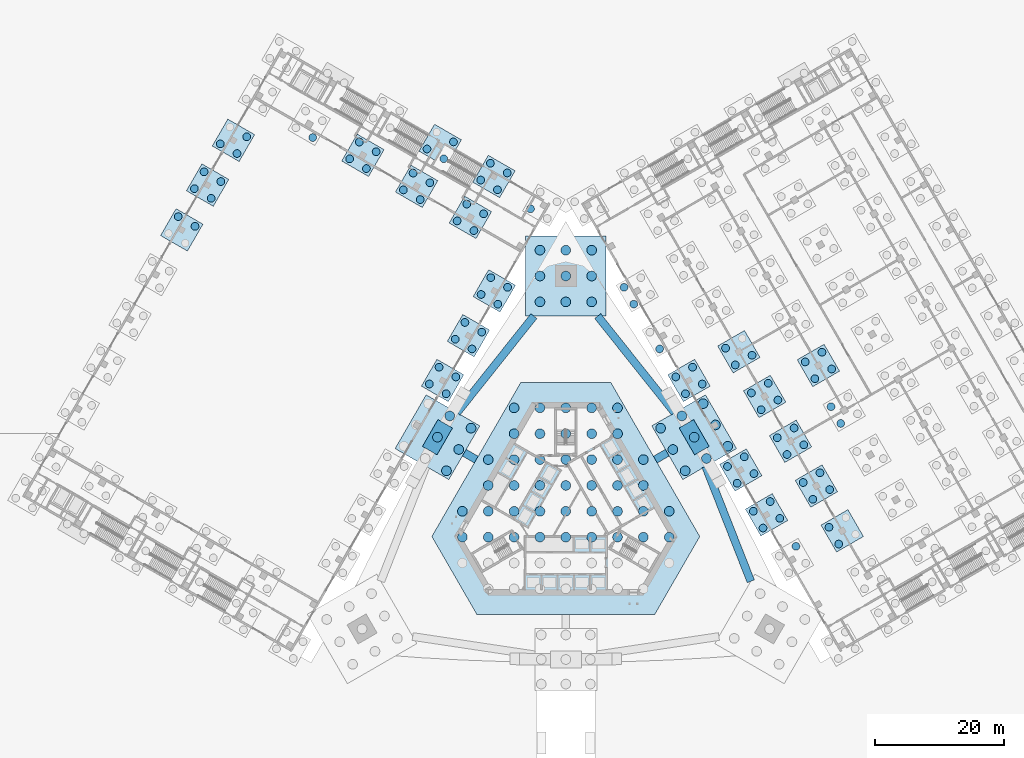
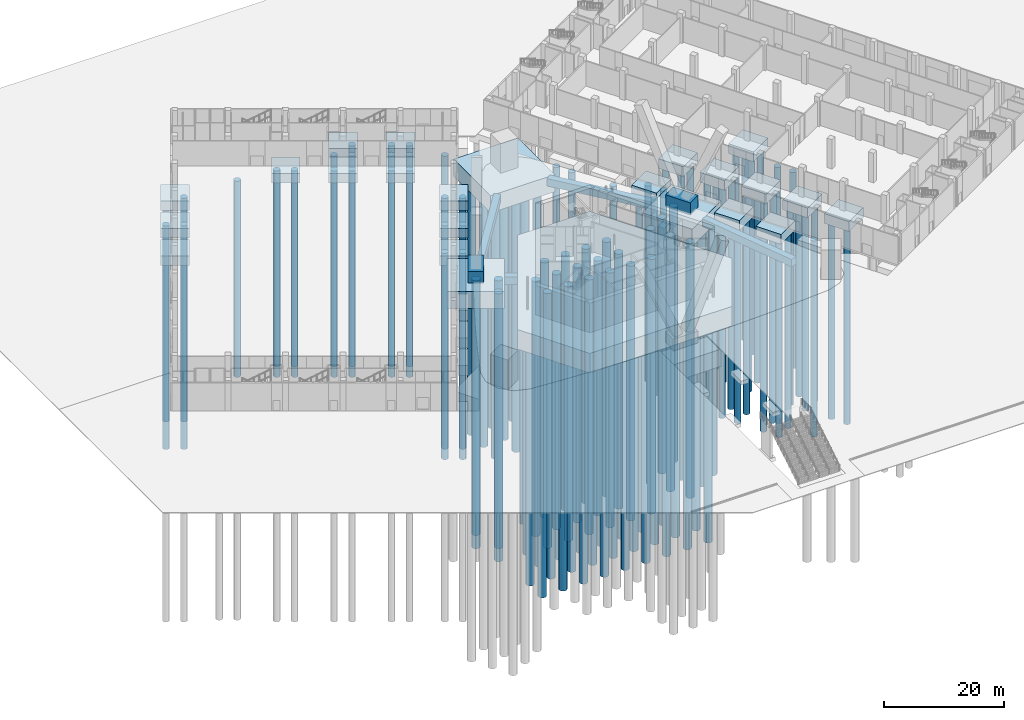
# One storey, part 2 of 38: 146 piles, 31 footings.
"""IFC4 building model written with IfcOpenShell, lengths in metres."""

from ifc_helpers import new_model, si_unit, direction, frame, origin, origin_2d, place, context, subcontext, project, spatial, polyline, rectangle, circle, outline, extrude, material, layer, layer_set, material_profile, profile_set, type_object, element, save


model = new_model("IFC4")

# Units and contexts
model_context = context("Model", 3, precision=1e-05, world=origin(), true_north=direction((0.0, 1.0)))
body_context = subcontext(model_context, "Body", "Model", "MODEL_VIEW")
ifc_project = project(units=[si_unit("LENGTHUNIT", "METRE"), si_unit("AREAUNIT", "SQUARE_METRE"), si_unit("VOLUMEUNIT", "CUBIC_METRE"), si_unit("PLANEANGLEUNIT", "RADIAN"), si_unit("MASSUNIT", "GRAM", prefix="KILO")], contexts=[model_context])

# Site, building, storey
site_placement = place(None, origin())
site = spatial("IfcSite", under=ifc_project, at=site_placement, CompositionType="ELEMENT")
building_placement = place(site_placement, origin())
building = spatial("IfcBuilding", under=site, at=building_placement, Name="Mestral Congress Tower", CompositionType="ELEMENT")
storey_placement = place(building_placement, origin())
storey = spatial("IfcBuildingStorey", under=building, at=storey_placement, Name="L00", CompositionType="ELEMENT", Elevation=0.0)

# Piles
ifc_material_1 = material(Name="Concrete C35/45", Category="concrete")
ifc_material_profile_1 = material_profile(ifc_material_1, circle(Radius=0.60009765625, at=origin_2d()), Name="D1200")
ifc_profile_set_1 = profile_set([ifc_material_profile_1], Name="Concrete C35/45")
pile_type_1 = type_object("IfcPileType", Name="Bored pile D1200", PredefinedType="BORED", material=ifc_profile_set_1)
for number, where, z_axis, x_axis, name in (
    (1, (35.609619140625, -5.421630859375, -2.14990234375), (0.0, 0.0, -1.0), (1.0, 0.0, 0.0), "PILE-WC-E-03A-04"),
    (2, (42.218994140625, -5.069580078125, -2.14990234375), (0.0, 0.0, -1.0), (1.0, 0.0, 0.0), "PILE-WC-E-03B-01"),
    (3, (40.718994140625, -2.4716796875, -2.14990234375), (0.0, 0.0, -1.0), (1.0, 0.0, 0.0), "PILE-WC-E-03B-03"),
    (4, (30.511474609375, -2.59130859375, -2.14990234375), (0.0, 0.0, -1.0), (1.0, 0.0, 0.0), "PILE-WC-E-04A-01"),
    (5, (33.109619140625, -1.09130859375, -2.14990234375), (0.0, 0.0, -1.0), (1.0, 0.0, 0.0), "PILE-WC-E-04A-02"),
    (6, (29.011474609375, 0.006591796875, -2.14990234375), (0.0, 0.0, -1.0), (1.0, 0.0, 0.0), "PILE-WC-E-04A-03"),
    (7, (31.609619140625, 1.506591796875, -2.14990234375), (0.0, 0.0, -1.0), (1.0, 0.0, 0.0), "PILE-WC-E-04A-04"),
    (8, (38.218994140625, 1.858642578125, -2.14990234375), (0.0, 0.0, -1.0), (1.0, 0.0, 0.0), "PILE-WC-E-04B-01"),
    (9, (40.817138671875, 3.358642578125, -2.14990234375), (0.0, 0.0, -1.0), (1.0, 0.0, 0.0), "PILE-WC-E-04B-02"),
    (10, (36.718994140625, 4.45654296875, -2.14990234375), (0.0, 0.0, -1.0), (1.0, 0.0, 0.0), "PILE-WC-E-04B-03"),
    (11, (39.317138671875, 5.95654296875, -2.14990234375), (0.0, 0.0, -1.0), (1.0, 0.0, 0.0), "PILE-WC-E-04B-04"),
    (12, (26.511474609375, 4.3369140625, -2.14990234375), (0.0, 0.0, -1.0), (1.0, 0.0, 0.0), "PILE-WC-E-05A-01"),
    (13, (29.109619140625, 5.8369140625, -2.14990234375), (0.0, 0.0, -1.0), (1.0, 0.0, 0.0), "PILE-WC-E-05A-02"),
    (14, (25.011474609375, 6.934814453125, -2.14990234375), (0.0, 0.0, -1.0), (1.0, 0.0, 0.0), "PILE-WC-E-05A-03"),
    (15, (27.609619140625, 8.434814453125, -2.14990234375), (0.0, 0.0, -1.0), (1.0, 0.0, 0.0), "PILE-WC-E-05A-04"),
    (16, (34.218994140625, 8.786865234375, -2.14990234375), (0.0, 0.0, -1.0), (1.0, 0.0, 0.0), "PILE-WC-E-05B-01"),
    (17, (36.817138671875, 10.286865234375, -2.14990234375), (0.0, 0.0, -1.0), (1.0, 0.0, 0.0), "PILE-WC-E-05B-02"),
    (18, (32.718994140625, 11.385009765625, -2.14990234375), (0.0, 0.0, -1.0), (1.0, 0.0, 0.0), "PILE-WC-E-05B-03"),
    (19, (35.317138671875, 12.885009765625, -2.14990234375), (0.0, 0.0, -1.0), (1.0, 0.0, 0.0), "PILE-WC-E-05B-04"),
    (20, (42.532958984375, 13.5869140625, -2.14990234375), (0.0, 0.0, -1.0), (1.0, 0.0, 0.0), "PILE-WC-E-05C-01"),
    (21, (41.032958984375, 16.184814453125, -2.14990234375), (0.0, 0.0, -1.0), (1.0, 0.0, 0.0), "PILE-WC-E-05C-03"),
    (22, (30.218994140625, 15.715087890625, -2.14990234375), (0.0, 0.0, -1.0), (1.0, 0.0, 0.0), "PILE-WC-E-06B-01"),
    (23, (32.817138671875, 17.215087890625, -2.14990234375), (0.0, 0.0, -1.0), (1.0, 0.0, 0.0), "PILE-WC-E-06B-02"),
    (24, (28.718994140625, 18.31298828125, -2.14990234375), (0.0, 0.0, -1.0), (1.0, 0.0, 0.0), "PILE-WC-E-06B-03"),
    (25, (31.317138671875, 19.81298828125, -2.14990234375), (0.0, 0.0, -1.0), (1.0, 0.0, 0.0), "PILE-WC-E-06B-04"),
    (26, (38.532958984375, 20.514892578125, -2.14990234375), (0.0, 0.0, -1.0), (1.0, 0.0, 0.0), "PILE-WC-E-06C-01"),
    (27, (41.131103515625, 22.014892578125, -2.14990234375), (0.0, 0.0, -1.0), (1.0, 0.0, 0.0), "PILE-WC-E-06C-02"),
    (28, (37.032958984375, 23.113037109375, -2.14990234375), (0.0, 0.0, -1.0), (1.0, 0.0, 0.0), "PILE-WC-E-06C-03"),
    (29, (39.631103515625, 24.613037109375, -2.14990234375), (0.0, 0.0, -1.0), (1.0, 0.0, 0.0), "PILE-WC-E-06C-04"),
    (30, (18.511474609375, 18.193115234375, -2.14990234375), (0.0, 0.0, -1.0), (1.0, 0.0, 0.0), "PILE-WC-E-07A-01"),
    (31, (21.109619140625, 19.693115234375, -2.14990234375), (0.0, 0.0, -1.0), (1.0, 0.0, 0.0), "PILE-WC-E-07A-02"),
    (32, (17.011474609375, 20.791259765625, -2.14990234375), (0.0, 0.0, -1.0), (1.0, 0.0, 0.0), "PILE-WC-E-07A-03"),
    (33, (19.609619140625, 22.291259765625, -2.14990234375), (0.0, 0.0, -1.0), (1.0, 0.0, 0.0), "PILE-WC-E-07A-04"),
    (34, (26.218994140625, 22.643310546875, -2.14990234375), (0.0, 0.0, -1.0), (1.0, 0.0, 0.0), "PILE-WC-E-07B-01"),
    (35, (28.817138671875, 24.143310546875, -2.14990234375), (0.0, 0.0, -1.0), (1.0, 0.0, 0.0), "PILE-WC-E-07B-02"),
    (36, (24.718994140625, 25.2412109375, -2.14990234375), (0.0, 0.0, -1.0), (1.0, 0.0, 0.0), "PILE-WC-E-07B-03"),
    (37, (14.511474609375, 25.121337890625, -2.14990234375), (0.0, 0.0, -1.0), (1.0, 0.0, 0.0), "PILE-WC-E-08A-01"),
    (38, (10.511474609375, 32.049560546875, -2.14990234375), (0.0, 0.0, -1.0), (1.0, 0.0, 0.0), "PILE-WC-E-09A-01"),
    (39, (9.011474609375, 34.647705078125, -2.14990234375), (0.0, 0.0, -1.0), (1.0, 0.0, 0.0), "PILE-WC-E-09A-03"),
    (40, (-5.459716796875, 46.7998046875, -2.14990234375), (0.0, 0.0, -1.0), (1.0, 0.0, 0.0), "PILE-WC-W-01A-04"),
    (41, (-9.069091796875, 52.347900390625, -2.14990234375), (0.0, 0.0, -1.0), (1.0, 0.0, 0.0), "PILE-WC-W-01B-01"),
    (42, (-11.667236328125, 53.847900390625, -2.14990234375), (0.0, 0.0, -1.0), (1.0, 0.0, 0.0), "PILE-WC-W-01B-02"),
    (43, (-10.569091796875, 49.749755859375, -2.14990234375), (0.0, 0.0, -1.0), (1.0, 0.0, 0.0), "PILE-WC-W-01B-03"),
    (44, (-13.167236328125, 51.249755859375, -2.14990234375), (0.0, 0.0, -1.0), (1.0, 0.0, 0.0), "PILE-WC-W-01B-04"),
    (45, (-17.3828125, 57.147705078125, -2.14990234375), (0.0, 0.0, -1.0), (1.0, 0.0, 0.0), "PILE-WC-W-01C-01"),
    (46, (-18.8828125, 54.5498046875, -2.14990234375), (0.0, 0.0, -1.0), (1.0, 0.0, 0.0), "PILE-WC-W-01C-03"),
    (47, (-21.48095703125, 56.0498046875, -2.14990234375), (0.0, 0.0, -1.0), (1.0, 0.0, 0.0), "PILE-WC-W-01C-04"),
    (48, (-12.718994140625, 46.02587890625, -2.14990234375), (0.0, 0.0, -1.0), (1.0, 0.0, 0.0), "PILE-WC-W-02B-01"),
    (49, (-15.317138671875, 47.52587890625, -2.14990234375), (0.0, 0.0, -1.0), (1.0, 0.0, 0.0), "PILE-WC-W-02B-02"),
    (50, (-14.218994140625, 43.427734375, -2.14990234375), (0.0, 0.0, -1.0), (1.0, 0.0, 0.0), "PILE-WC-W-02B-03"),
    (51, (-16.817138671875, 44.927734375, -2.14990234375), (0.0, 0.0, -1.0), (1.0, 0.0, 0.0), "PILE-WC-W-02B-04"),
    (52, (-21.032958984375, 50.82568359375, -2.14990234375), (0.0, 0.0, -1.0), (1.0, 0.0, 0.0), "PILE-WC-W-02C-01"),
    (53, (-23.631103515625, 52.32568359375, -2.14990234375), (0.0, 0.0, -1.0), (1.0, 0.0, 0.0), "PILE-WC-W-02C-02"),
    (54, (-22.532958984375, 48.227783203125, -2.14990234375), (0.0, 0.0, -1.0), (1.0, 0.0, 0.0), "PILE-WC-W-02C-03"),
    (55, (-25.131103515625, 49.727783203125, -2.14990234375), (0.0, 0.0, -1.0), (1.0, 0.0, 0.0), "PILE-WC-W-02C-04"),
    (56, (-29.3466796875, 55.625732421875, -2.14990234375), (0.0, 0.0, -1.0), (1.0, 0.0, 0.0), "PILE-WC-W-02D-01"),
    (57, (-31.94482421875, 57.125732421875, -2.14990234375), (0.0, 0.0, -1.0), (1.0, 0.0, 0.0), "PILE-WC-W-02D-02"),
    (58, (-30.8466796875, 53.02783203125, -2.14990234375), (0.0, 0.0, -1.0), (1.0, 0.0, 0.0), "PILE-WC-W-02D-03"),
    (59, (-33.44482421875, 54.52783203125, -2.14990234375), (0.0, 0.0, -1.0), (1.0, 0.0, 0.0), "PILE-WC-W-02D-04"),
    (60, (-39.16064453125, 57.827880859375, -2.14990234375), (0.0, 0.0, -1.0), (1.0, 0.0, 0.0), "PILE-WC-W-02E-03"),
    (61, (-9.011474609375, 34.647705078125, -2.14990234375), (0.0, 0.0, -1.0), (1.0, 0.0, 0.0), "PILE-WC-W-03A-01"),
    (62, (-11.609619140625, 36.147705078125, -2.14990234375), (0.0, 0.0, -1.0), (1.0, 0.0, 0.0), "PILE-WC-W-03A-02"),
    (63, (-10.511474609375, 32.049560546875, -2.14990234375), (0.0, 0.0, -1.0), (1.0, 0.0, 0.0), "PILE-WC-W-03A-03"),
    (64, (-13.109619140625, 33.549560546875, -2.14990234375), (0.0, 0.0, -1.0), (1.0, 0.0, 0.0), "PILE-WC-W-03A-04"),
    (65, (-49.368408203125, 57.947509765625, -2.14990234375), (0.0, 0.0, -1.0), (1.0, 0.0, 0.0), "PILE-WC-W-03F-01"),
    (66, (-50.868408203125, 55.349609375, -2.14990234375), (0.0, 0.0, -1.0), (1.0, 0.0, 0.0), "PILE-WC-W-03F-03"),
    (67, (-53.46630859375, 56.849609375, -2.14990234375), (0.0, 0.0, -1.0), (1.0, 0.0, 0.0), "PILE-WC-W-03F-04"),
    (68, (-13.011474609375, 27.719482421875, -2.14990234375), (0.0, 0.0, -1.0), (1.0, 0.0, 0.0), "PILE-WC-W-04A-01"),
    (69, (-15.609619140625, 29.219482421875, -2.14990234375), (0.0, 0.0, -1.0), (1.0, 0.0, 0.0), "PILE-WC-W-04A-02"),
    (70, (-14.511474609375, 25.121337890625, -2.14990234375), (0.0, 0.0, -1.0), (1.0, 0.0, 0.0), "PILE-WC-W-04A-03"),
    (71, (-17.109619140625, 26.621337890625, -2.14990234375), (0.0, 0.0, -1.0), (1.0, 0.0, 0.0), "PILE-WC-W-04A-04"),
    (72, (-53.368408203125, 51.019287109375, -2.14990234375), (0.0, 0.0, -1.0), (1.0, 0.0, 0.0), "PILE-WC-W-04F-01"),
    (73, (-55.96630859375, 52.519287109375, -2.14990234375), (0.0, 0.0, -1.0), (1.0, 0.0, 0.0), "PILE-WC-W-04F-02"),
    (74, (-54.868408203125, 48.42138671875, -2.14990234375), (0.0, 0.0, -1.0), (1.0, 0.0, 0.0), "PILE-WC-W-04F-03"),
    (75, (-57.46630859375, 49.92138671875, -2.14990234375), (0.0, 0.0, -1.0), (1.0, 0.0, 0.0), "PILE-WC-W-04F-04"),
    (76, (-17.011474609375, 20.791259765625, -2.14990234375), (0.0, 0.0, -1.0), (1.0, 0.0, 0.0), "PILE-WC-W-05A-01"),
    (77, (-19.609619140625, 22.291259765625, -2.14990234375), (0.0, 0.0, -1.0), (1.0, 0.0, 0.0), "PILE-WC-W-05A-02"),
    (78, (-18.511474609375, 18.193115234375, -2.14990234375), (0.0, 0.0, -1.0), (1.0, 0.0, 0.0), "PILE-WC-W-05A-03"),
    (79, (-21.109619140625, 19.693115234375, -2.14990234375), (0.0, 0.0, -1.0), (1.0, 0.0, 0.0), "PILE-WC-W-05A-04"),
    (80, (-57.368408203125, 44.09130859375, -2.14990234375), (0.0, 0.0, -1.0), (1.0, 0.0, 0.0), "PILE-WC-W-05F-01"),
    (81, (-59.96630859375, 45.59130859375, -2.14990234375), (0.0, 0.0, -1.0), (1.0, 0.0, 0.0), "PILE-WC-W-05F-02"),
):
    element("IfcPile", number, at=place(storey_placement, frame(where, z_axis=z_axis, x_axis=x_axis)), inside=storey, type_object=pile_type_1, Name=name, PredefinedType="BORED", context=body_context, shape_type="SweptSolid", body=[
        extrude(circle(Radius=0.60009765625, at=origin_2d()), origin(), (0.0, 0.0, 1.0), 40.0),
    ])
ifc_material_profile_2 = material_profile(ifc_material_1, circle(Radius=0.75, at=origin_2d()), Name="D1500")
ifc_profile_set_2 = profile_set([ifc_material_profile_2], Name="Concrete C35/45")
pile_type_2 = type_object("IfcPileType", Name="Bored pile D1500", PredefinedType="BORED", material=ifc_profile_set_2)
for number, where, z_axis, x_axis, name in (
    (82, (-16.0, -4.0, -5.64990234375), (0.0, 0.0, -1.0), (1.0, 0.0, 0.0), "PILE-RAFT-02"),
    (83, (-16.0, 0.0, -5.64990234375), (0.0, 0.0, -1.0), (1.0, 0.0, 0.0), "PILE-RAFT-03"),
    (84, (-12.0, -4.0, -5.64990234375), (0.0, 0.0, -1.0), (1.0, 0.0, 0.0), "PILE-RAFT-06"),
    (85, (-12.0, 0.0, -5.64990234375), (0.0, 0.0, -1.0), (1.0, 0.0, 0.0), "PILE-RAFT-07"),
    (86, (-12.0, 4.0, -5.64990234375), (0.0, 0.0, -1.0), (1.0, 0.0, 0.0), "PILE-RAFT-08"),
    (87, (-12.0, 8.0, -5.64990234375), (0.0, 0.0, -1.0), (1.0, 0.0, 0.0), "PILE-RAFT-09"),
    (88, (-8.0, -4.0, -5.64990234375), (0.0, 0.0, -1.0), (1.0, 0.0, 0.0), "PILE-RAFT-12"),
    (89, (-8.0, 0.0, -5.64990234375), (0.0, 0.0, -1.0), (1.0, 0.0, 0.0), "PILE-RAFT-13"),
    (90, (-8.0, 4.0, -5.64990234375), (0.0, 0.0, -1.0), (1.0, 0.0, 0.0), "PILE-RAFT-14"),
    (91, (-8.0, 8.0, -5.64990234375), (0.0, 0.0, -1.0), (1.0, 0.0, 0.0), "PILE-RAFT-15"),
    (92, (-8.0, 12.0, -5.64990234375), (0.0, 0.0, -1.0), (1.0, 0.0, 0.0), "PILE-RAFT-16"),
    (93, (-8.0, 16.0, -5.64990234375), (0.0, 0.0, -1.0), (1.0, 0.0, 0.0), "PILE-RAFT-17"),
    (94, (-4.0, -4.0, -5.64990234375), (0.0, 0.0, -1.0), (1.0, 0.0, 0.0), "PILE-RAFT-20"),
    (95, (-4.0, 0.0, -5.64990234375), (0.0, 0.0, -1.0), (1.0, 0.0, 0.0), "PILE-RAFT-21"),
    (96, (-4.0, 4.0, -5.64990234375), (0.0, 0.0, -1.0), (1.0, 0.0, 0.0), "PILE-RAFT-22"),
    (97, (-4.0, 8.0, -5.64990234375), (0.0, 0.0, -1.0), (1.0, 0.0, 0.0), "PILE-RAFT-23"),
    (98, (-4.0, 12.0, -5.64990234375), (0.0, 0.0, -1.0), (1.0, 0.0, 0.0), "PILE-RAFT-24"),
    (99, (-4.0, 16.0, -5.64990234375), (0.0, 0.0, -1.0), (1.0, 0.0, 0.0), "PILE-RAFT-25"),
    (100, (0.0, -4.0, -5.64990234375), (0.0, 0.0, -1.0), (1.0, 0.0, 0.0), "PILE-RAFT-28"),
    (101, (0.0, 0.0, -5.64990234375), (0.0, 0.0, -1.0), (1.0, 0.0, 0.0), "PILE-RAFT-29"),
    (102, (0.0, 4.0, -5.64990234375), (0.0, 0.0, -1.0), (1.0, 0.0, 0.0), "PILE-RAFT-30"),
    (103, (0.0, 8.0, -5.64990234375), (0.0, 0.0, -1.0), (1.0, 0.0, 0.0), "PILE-RAFT-31"),
    (104, (0.0, 12.0, -5.64990234375), (0.0, 0.0, -1.0), (1.0, 0.0, 0.0), "PILE-RAFT-32"),
    (105, (0.0, 16.0, -5.64990234375), (0.0, 0.0, -1.0), (1.0, 0.0, 0.0), "PILE-RAFT-33"),
    (106, (4.0, -4.0, -5.64990234375), (0.0, 0.0, -1.0), (1.0, 0.0, 0.0), "PILE-RAFT-36"),
    (107, (4.0, 0.0, -5.64990234375), (0.0, 0.0, -1.0), (1.0, 0.0, 0.0), "PILE-RAFT-37"),
    (108, (4.0, 4.0, -5.64990234375), (0.0, 0.0, -1.0), (1.0, 0.0, 0.0), "PILE-RAFT-38"),
    (109, (4.0, 8.0, -5.64990234375), (0.0, 0.0, -1.0), (1.0, 0.0, 0.0), "PILE-RAFT-39"),
    (110, (4.0, 12.0, -5.64990234375), (0.0, 0.0, -1.0), (1.0, 0.0, 0.0), "PILE-RAFT-40"),
    (111, (4.0, 16.0, -5.64990234375), (0.0, 0.0, -1.0), (1.0, 0.0, 0.0), "PILE-RAFT-41"),
    (112, (8.0, -4.0, -5.64990234375), (0.0, 0.0, -1.0), (1.0, 0.0, 0.0), "PILE-RAFT-44"),
    (113, (8.0, 0.0, -5.64990234375), (0.0, 0.0, -1.0), (1.0, 0.0, 0.0), "PILE-RAFT-45"),
    (114, (8.0, 4.0, -5.64990234375), (0.0, 0.0, -1.0), (1.0, 0.0, 0.0), "PILE-RAFT-46"),
    (115, (8.0, 8.0, -5.64990234375), (0.0, 0.0, -1.0), (1.0, 0.0, 0.0), "PILE-RAFT-47"),
    (116, (8.0, 12.0, -5.64990234375), (0.0, 0.0, -1.0), (1.0, 0.0, 0.0), "PILE-RAFT-48"),
    (117, (8.0, 16.0, -5.64990234375), (0.0, 0.0, -1.0), (1.0, 0.0, 0.0), "PILE-RAFT-49"),
    (118, (12.0, -4.0, -5.64990234375), (0.0, 0.0, -1.0), (1.0, 0.0, 0.0), "PILE-RAFT-52"),
    (119, (12.0, 0.0, -5.64990234375), (0.0, 0.0, -1.0), (1.0, 0.0, 0.0), "PILE-RAFT-53"),
    (120, (12.0, 4.0, -5.64990234375), (0.0, 0.0, -1.0), (1.0, 0.0, 0.0), "PILE-RAFT-54"),
    (121, (12.0, 8.0, -5.64990234375), (0.0, 0.0, -1.0), (1.0, 0.0, 0.0), "PILE-RAFT-55"),
    (122, (16.0, -4.0, -5.64990234375), (0.0, 0.0, -1.0), (1.0, 0.0, 0.0), "PILE-RAFT-57"),
    (123, (16.0, 0.0, -5.64990234375), (0.0, 0.0, -1.0), (1.0, 0.0, 0.0), "PILE-RAFT-58"),
    (124, (4.0, 32.39892578125, -3.64990234375), (0.0, 0.0, -1.0), (1.0, 0.0, 0.0), "PILE-PCP-N-01"),
    (125, (0.0, 32.39892578125, -3.64990234375), (0.0, 0.0, -1.0), (1.0, 0.0, 0.0), "PILE-PCP-N-02"),
    (126, (-4.0, 32.39892578125, -3.64990234375), (0.0, 0.0, -1.0), (1.0, 0.0, 0.0), "PILE-PCP-N-03"),
    (127, (4.0, 36.39892578125, -3.64990234375), (0.0, 0.0, -1.0), (1.0, 0.0, 0.0), "PILE-PCP-N-04"),
    (128, (0.0, 36.39892578125, -3.64990234375), (0.0, 0.0, -1.0), (1.0, 0.0, 0.0), "PILE-PCP-N-05"),
    (129, (-4.0, 36.39892578125, -3.64990234375), (0.0, 0.0, -1.0), (1.0, 0.0, 0.0), "PILE-PCP-N-06"),
    (130, (4.0, 40.39892578125, -3.64990234375), (0.0, 0.0, -1.0), (1.0, 0.0, 0.0), "PILE-PCP-N-07"),
    (131, (0.0, 40.39892578125, -3.64990234375), (0.0, 0.0, -1.0), (1.0, 0.0, 0.0), "PILE-PCP-N-08"),
    (132, (-4.0, 40.39892578125, -3.64990234375), (0.0, 0.0, -1.0), (1.0, 0.0, 0.0), "PILE-PCP-N-09"),
    (133, (25.047119140625, 10.072998046875, -3.64990234375), (0.0, 0.0, -1.0), (1.0, 0.0, 0.0), "PILE-VCP-E-01"),
    (134, (21.756103515625, 8.173095703125, -3.64990234375), (0.0, 0.0, -1.0), (1.0, 0.0, 0.0), "PILE-VCP-E-02"),
    (135, (18.46533203125, 6.273193359375, -3.64990234375), (0.0, 0.0, -1.0), (1.0, 0.0, 0.0), "PILE-VCP-E-03"),
    (136, (23.147216796875, 13.364013671875, -3.64990234375), (0.0, 0.0, -1.0), (1.0, 0.0, 0.0), "PILE-VCP-E-04"),
    (137, (19.856201171875, 11.464111328125, -3.64990234375), (0.0, 0.0, -1.0), (1.0, 0.0, 0.0), "PILE-VCP-E-05"),
    (138, (16.565185546875, 9.56396484375, -3.64990234375), (0.0, 0.0, -1.0), (1.0, 0.0, 0.0), "PILE-VCP-E-06"),
    (139, (21.2470703125, 16.65478515625, -3.64990234375), (0.0, 0.0, -1.0), (1.0, 0.0, 0.0), "PILE-VCP-E-07"),
    (140, (17.956298828125, 14.7548828125, -3.64990234375), (0.0, 0.0, -1.0), (1.0, 0.0, 0.0), "PILE-VCP-E-08"),
    (141, (14.665283203125, 12.85498046875, -3.64990234375), (0.0, 0.0, -1.0), (1.0, 0.0, 0.0), "PILE-VCP-E-09"),
    (142, (-17.956298828125, 14.7548828125, -3.64990234375), (0.0, 0.0, -1.0), (1.0, 0.0, 0.0), "PILE-VCP-W-02"),
    (143, (-14.665283203125, 12.85498046875, -3.64990234375), (0.0, 0.0, -1.0), (1.0, 0.0, 0.0), "PILE-VCP-W-03"),
    (144, (-19.856201171875, 11.464111328125, -3.64990234375), (0.0, 0.0, -1.0), (1.0, 0.0, 0.0), "PILE-VCP-W-05"),
    (145, (-16.565185546875, 9.56396484375, -3.64990234375), (0.0, 0.0, -1.0), (1.0, 0.0, 0.0), "PILE-VCP-W-06"),
    (146, (-18.46533203125, 6.273193359375, -3.64990234375), (0.0, 0.0, -1.0), (1.0, 0.0, 0.0), "PILE-VCP-W-09"),
):
    element("IfcPile", number, at=place(storey_placement, frame(where, z_axis=z_axis, x_axis=x_axis)), inside=storey, type_object=pile_type_2, Name=name, PredefinedType="BORED", context=body_context, shape_type="SweptSolid", body=[
        extrude(circle(Radius=0.75, at=origin_2d()), origin(), (0.0, 0.0, 1.0), 52.0),
    ])

# Footings
ifc_layer_1 = layer(ifc_material_1, 3.5)
ifc_layer_set_1 = layer_set([ifc_layer_1], Name="Concrete C35/45")
footing_type_1 = type_object("IfcFootingType", Name="Pile cap 3500", PredefinedType="PILE_CAP", material=ifc_layer_set_1)
placement_1 = place(storey_placement, frame((0.0, 0.0, -3.800048828125)))
element("IfcFooting", 147, at=placement_1, inside=storey, type_object=footing_type_1, Name="FT-PYCAP-1", PredefinedType="PILE_CAP", context=body_context, shape_type="SweptSolid", body=[
    extrude(outline(polyline([(6.199951171875, 30.198974609375), (6.199951171875, 42.598876953125), (-6.199951171875, 42.598876953125), (-6.199951171875, 30.198974609375), (6.199951171875, 30.198974609375)])), origin(), (0.0, 0.0, 1.0), 3.5),
])
element("IfcFooting", 148, at=placement_1, inside=storey, type_object=footing_type_1, Name="FT-VCAP-1", PredefinedType="PILE_CAP", context=body_context, shape_type="SweptSolid", body=[
    extrude(outline(polyline([(26.4130859375, 9.70703125), (21.613037109375, 18.02099609375), (13.29931640625, 13.220947265625), (18.099365234375, 4.906982421875), (26.4130859375, 9.70703125)])), origin(), (0.0, 0.0, 1.0), 3.5),
])
element("IfcFooting", 149, at=placement_1, inside=storey, type_object=footing_type_1, Name="FT-VCAP-2", PredefinedType="PILE_CAP", context=body_context, shape_type="SweptSolid", body=[
    extrude(outline(polyline([(-21.613037109375, 18.02099609375), (-26.4130859375, 9.70703125), (-18.099365234375, 4.906982421875), (-13.29931640625, 13.220947265625), (-21.613037109375, 18.02099609375)])), origin(), (0.0, 0.0, 1.0), 3.5),
])
ifc_layer_2 = layer(ifc_material_1, 4.0)
ifc_layer_set_2 = layer_set([ifc_layer_2], Name="Concrete C35/45")
footing_type_2 = type_object("IfcFootingType", Name="Piled raft 4000", PredefinedType="PILE_CAP", material=ifc_layer_set_2)
footing_4_placement = place(storey_placement, frame((0.0, 0.0, -5.800048828125)))
element("IfcFooting", 150, at=footing_4_placement, inside=storey, type_object=footing_type_2, Name="FT-RAFT", PredefinedType="PILE_CAP", context=body_context, shape_type="SweptSolid", body=[
    extrude(outline(polyline([(-6.98583984375, 19.89990234375), (-20.726806640625, -3.89990234375), (-13.740966796875, -16.0), (13.740966796875, -16.0), (20.726806640625, -3.89990234375), (6.98583984375, 19.89990234375), (-6.98583984375, 19.89990234375)])), origin(), (0.0, 0.0, 1.0), 4.0),
])
footing_type_3 = type_object("IfcFootingType", Name="Tie beam 1200x1500", PredefinedType="FOOTING_BEAM", material=ifc_material_1)
footing_5_placement = place(storey_placement, frame((14.77783203125, 8.531982421875, -1.800048828125), z_axis=(0.0, 0.0, 1.0), x_axis=(-0.866025403784, -0.5, 0.0)))
element("IfcFooting", 151, at=footing_5_placement, inside=storey, type_object=footing_type_3, Name="FT-TIE-RT-E", PredefinedType="FOOTING_BEAM", context=body_context, shape_type="SweptSolid", body=[
    extrude(rectangle(XDim=2.1279296875, YDim=1.199951171875, at=origin_2d()), origin(), (0.0, 0.0, 1.0), 1.5),
])
for number, where, z_axis, x_axis, name in (
    (152, (25.127197265625, -1.9384765625, -1.800048828125), (0.0, 0.0, 1.0), (-0.365997768755, 0.930615728035, 0.0), "FT-TIE-TB-EA"),
    (153, (10.885009765625, 22.72998046875, -1.800048828125), (0.0, 0.0, 1.0), (-0.622939342582, 0.782270142255, 0.0), "FT-TIE-TB-EB"),
):
    element("IfcFooting", number, at=place(storey_placement, frame(where, z_axis=z_axis, x_axis=x_axis)), inside=storey, type_object=footing_type_3, Name=name, PredefinedType="FOOTING_BEAM", context=body_context, shape_type="SweptSolid", body=[
        extrude(rectangle(XDim=19.095703125, YDim=1.199951171875, at=origin_2d()), origin(), (0.0, 0.0, 1.0), 1.5),
    ])
footing_6_placement = place(storey_placement, frame((-14.77783203125, 8.531982421875, -1.800048828125), z_axis=(0.0, 0.0, 1.0), x_axis=(0.866025403784, -0.5, 0.0)))
element("IfcFooting", 154, at=footing_6_placement, inside=storey, type_object=footing_type_3, Name="FT-TIE-RT-W", PredefinedType="FOOTING_BEAM", context=body_context, shape_type="SweptSolid", body=[
    extrude(rectangle(XDim=2.1279296875, YDim=1.199951171875, at=origin_2d()), origin(), (0.0, 0.0, 1.0), 1.5),
])
footing_7_placement = place(storey_placement, frame((-10.885009765625, 22.72998046875, -1.800048828125), z_axis=(0.0, 0.0, 1.0), x_axis=(-0.622939342582, -0.782270142255, 0.0)))
element("IfcFooting", 155, at=footing_7_placement, inside=storey, type_object=footing_type_3, Name="FT-TIE-TB-WA", PredefinedType="FOOTING_BEAM", context=body_context, shape_type="SweptSolid", body=[
    extrude(rectangle(XDim=19.095703125, YDim=1.199951171875, at=origin_2d()), origin(), (0.0, 0.0, 1.0), 1.5),
])
ifc_material_2 = material(Name="Concrete C80/95", Category="concrete")
ifc_layer_3 = layer(ifc_material_2, 2.39990234375)
ifc_layer_set_3 = layer_set([ifc_layer_3], Name="Concrete C80/95")
footing_type_4 = type_object("IfcFootingType", Name="V base pedestal", PredefinedType="PAD_FOOTING", material=ifc_layer_set_3)
placement_2 = place(storey_placement, frame((0.0, 0.0, -0.300048828125)))
element("IfcFooting", 156, at=placement_2, inside=storey, type_object=footing_type_4, Name="FT-VPED-1", PredefinedType="PAD_FOOTING", context=body_context, shape_type="SweptSolid", body=[
    extrude(outline(polyline([(22.181884765625, 10.035400390625), (19.781982421875, 14.1923828125), (17.530517578125, 12.892578125), (19.930419921875, 8.735595703125), (22.181884765625, 10.035400390625)])), origin(), (0.0, 0.0, 1.0), 2.400146484375),
])
element("IfcFooting", 157, at=placement_2, inside=storey, type_object=footing_type_4, Name="FT-VPED-2", PredefinedType="PAD_FOOTING", context=body_context, shape_type="SweptSolid", body=[
    extrude(outline(polyline([(-19.781982421875, 14.1923828125), (-22.181884765625, 10.035400390625), (-19.930419921875, 8.735595703125), (-17.530517578125, 12.892578125), (-19.781982421875, 14.1923828125)])), origin(), (0.0, 0.0, 1.0), 2.400146484375),
])
ifc_layer_4 = layer(ifc_material_1, 2.0)
ifc_layer_set_4 = layer_set([ifc_layer_4], Name="Concrete C35/45")
footing_type_5 = type_object("IfcFootingType", Name="Wing pile cap 4800", PredefinedType="PILE_CAP", material=ifc_layer_set_4)
placement_3 = place(storey_placement, frame((0.0, 0.0, -2.300048828125)))
element("IfcFooting", 158, at=placement_3, inside=storey, type_object=footing_type_5, Name="FT-WC-E-03B", PredefinedType="PILE_CAP", context=body_context, shape_type="SweptSolid", body=[
    extrude(outline(polyline([(41.8896484375, -6.299072265625), (46.046630859375, -3.899169921875), (43.646484375, 0.2578125), (39.48974609375, -2.14208984375), (41.8896484375, -6.299072265625)])), origin(), (0.0, 0.0, 1.0), 2.0),
])
element("IfcFooting", 159, at=placement_3, inside=storey, type_object=footing_type_5, Name="FT-WC-E-04A", PredefinedType="PILE_CAP", context=body_context, shape_type="SweptSolid", body=[
    extrude(outline(polyline([(30.18212890625, -3.82080078125), (34.339111328125, -1.4208984375), (31.93896484375, 2.736083984375), (27.781982421875, 0.336181640625), (30.18212890625, -3.82080078125)])), origin(), (0.0, 0.0, 1.0), 2.0),
])
element("IfcFooting", 160, at=placement_3, inside=storey, type_object=footing_type_5, Name="FT-WC-E-04B", PredefinedType="PILE_CAP", context=body_context, shape_type="SweptSolid", body=[
    extrude(outline(polyline([(37.8896484375, 0.629150390625), (42.046630859375, 3.029052734375), (39.646484375, 7.18603515625), (35.48974609375, 4.7861328125), (37.8896484375, 0.629150390625)])), origin(), (0.0, 0.0, 1.0), 2.0),
])
element("IfcFooting", 161, at=placement_3, inside=storey, type_object=footing_type_5, Name="FT-WC-E-05A", PredefinedType="PILE_CAP", context=body_context, shape_type="SweptSolid", body=[
    extrude(outline(polyline([(26.18212890625, 3.107421875), (30.339111328125, 5.50732421875), (27.93896484375, 9.664306640625), (23.781982421875, 7.264404296875), (26.18212890625, 3.107421875)])), origin(), (0.0, 0.0, 1.0), 2.0),
])
element("IfcFooting", 162, at=placement_3, inside=storey, type_object=footing_type_5, Name="FT-WC-E-05B", PredefinedType="PILE_CAP", context=body_context, shape_type="SweptSolid", body=[
    extrude(outline(polyline([(33.8896484375, 7.557373046875), (38.046630859375, 9.95751953125), (35.646484375, 14.1142578125), (31.48974609375, 11.71435546875), (33.8896484375, 7.557373046875)])), origin(), (0.0, 0.0, 1.0), 2.0),
])
element("IfcFooting", 163, at=placement_3, inside=storey, type_object=footing_type_5, Name="FT-WC-E-06B", PredefinedType="PILE_CAP", context=body_context, shape_type="SweptSolid", body=[
    extrude(outline(polyline([(29.8896484375, 14.485595703125), (34.046630859375, 16.885498046875), (31.646484375, 21.04248046875), (27.48974609375, 18.642578125), (29.8896484375, 14.485595703125)])), origin(), (0.0, 0.0, 1.0), 2.0),
])
element("IfcFooting", 164, at=placement_3, inside=storey, type_object=footing_type_5, Name="FT-WC-E-06C", PredefinedType="PILE_CAP", context=body_context, shape_type="SweptSolid", body=[
    extrude(outline(polyline([(38.20361328125, 19.28564453125), (42.3603515625, 21.685546875), (39.96044921875, 25.842529296875), (35.803466796875, 23.4423828125), (38.20361328125, 19.28564453125)])), origin(), (0.0, 0.0, 1.0), 2.0),
])
element("IfcFooting", 165, at=placement_3, inside=storey, type_object=footing_type_5, Name="FT-WC-E-07A", PredefinedType="PILE_CAP", context=body_context, shape_type="SweptSolid", body=[
    extrude(outline(polyline([(18.18212890625, 16.9638671875), (22.339111328125, 19.36376953125), (19.93896484375, 23.520751953125), (15.781982421875, 21.12060546875), (18.18212890625, 16.9638671875)])), origin(), (0.0, 0.0, 1.0), 2.0),
])
element("IfcFooting", 166, at=placement_3, inside=storey, type_object=footing_type_5, Name="FT-WC-E-07B", PredefinedType="PILE_CAP", context=body_context, shape_type="SweptSolid", body=[
    extrude(outline(polyline([(25.8896484375, 21.413818359375), (30.046630859375, 23.813720703125), (27.646484375, 27.970703125), (23.48974609375, 25.57080078125), (25.8896484375, 21.413818359375)])), origin(), (0.0, 0.0, 1.0), 2.0),
])
element("IfcFooting", 167, at=placement_3, inside=storey, type_object=footing_type_5, Name="FT-WC-W-01B", PredefinedType="PILE_CAP", context=body_context, shape_type="SweptSolid", body=[
    extrude(outline(polyline([(-7.839599609375, 52.67724609375), (-11.99658203125, 55.0771484375), (-14.396484375, 50.92041015625), (-10.23974609375, 48.520263671875), (-7.839599609375, 52.67724609375)])), origin(), (0.0, 0.0, 1.0), 2.0),
])
element("IfcFooting", 168, at=placement_3, inside=storey, type_object=footing_type_5, Name="FT-WC-W-01C", PredefinedType="PILE_CAP", context=body_context, shape_type="SweptSolid", body=[
    extrude(outline(polyline([(-16.153564453125, 57.477294921875), (-20.310302734375, 59.877197265625), (-22.71044921875, 55.72021484375), (-18.553466796875, 53.3203125), (-16.153564453125, 57.477294921875)])), origin(), (0.0, 0.0, 1.0), 2.0),
])
element("IfcFooting", 169, at=placement_3, inside=storey, type_object=footing_type_5, Name="FT-WC-W-02B", PredefinedType="PILE_CAP", context=body_context, shape_type="SweptSolid", body=[
    extrude(outline(polyline([(-11.48974609375, 46.355224609375), (-15.646484375, 48.75537109375), (-18.046630859375, 44.598388671875), (-13.8896484375, 42.1982421875), (-11.48974609375, 46.355224609375)])), origin(), (0.0, 0.0, 1.0), 2.0),
])
element("IfcFooting", 170, at=placement_3, inside=storey, type_object=footing_type_5, Name="FT-WC-W-02C", PredefinedType="PILE_CAP", context=body_context, shape_type="SweptSolid", body=[
    extrude(outline(polyline([(-19.803466796875, 51.1552734375), (-23.96044921875, 53.555419921875), (-26.3603515625, 49.398193359375), (-22.20361328125, 46.998291015625), (-19.803466796875, 51.1552734375)])), origin(), (0.0, 0.0, 1.0), 2.0),
])
element("IfcFooting", 171, at=placement_3, inside=storey, type_object=footing_type_5, Name="FT-WC-W-02D", PredefinedType="PILE_CAP", context=body_context, shape_type="SweptSolid", body=[
    extrude(outline(polyline([(-28.117431640625, 55.955322265625), (-32.2744140625, 58.355224609375), (-34.67431640625, 54.1982421875), (-30.517333984375, 51.79833984375), (-28.117431640625, 55.955322265625)])), origin(), (0.0, 0.0, 1.0), 2.0),
])
element("IfcFooting", 172, at=placement_3, inside=storey, type_object=footing_type_5, Name="FT-WC-W-03A", PredefinedType="PILE_CAP", context=body_context, shape_type="SweptSolid", body=[
    extrude(outline(polyline([(-7.781982421875, 34.97705078125), (-11.93896484375, 37.377197265625), (-14.339111328125, 33.22021484375), (-10.18212890625, 30.820068359375), (-7.781982421875, 34.97705078125)])), origin(), (0.0, 0.0, 1.0), 2.0),
])
element("IfcFooting", 173, at=placement_3, inside=storey, type_object=footing_type_5, Name="FT-WC-W-03F", PredefinedType="PILE_CAP", context=body_context, shape_type="SweptSolid", body=[
    extrude(outline(polyline([(-48.138916015625, 58.277099609375), (-52.2958984375, 60.677001953125), (-54.69580078125, 56.52001953125), (-50.538818359375, 54.1201171875), (-48.138916015625, 58.277099609375)])), origin(), (0.0, 0.0, 1.0), 2.0),
])
element("IfcFooting", 174, at=placement_3, inside=storey, type_object=footing_type_5, Name="FT-WC-W-04A", PredefinedType="PILE_CAP", context=body_context, shape_type="SweptSolid", body=[
    extrude(outline(polyline([(-11.781982421875, 28.048828125), (-15.93896484375, 30.448974609375), (-18.339111328125, 26.2919921875), (-14.18212890625, 23.891845703125), (-11.781982421875, 28.048828125)])), origin(), (0.0, 0.0, 1.0), 2.0),
])
element("IfcFooting", 175, at=placement_3, inside=storey, type_object=footing_type_5, Name="FT-WC-W-04F", PredefinedType="PILE_CAP", context=body_context, shape_type="SweptSolid", body=[
    extrude(outline(polyline([(-52.138916015625, 51.348876953125), (-56.2958984375, 53.748779296875), (-58.69580078125, 49.591796875), (-54.538818359375, 47.19189453125), (-52.138916015625, 51.348876953125)])), origin(), (0.0, 0.0, 1.0), 2.0),
])
element("IfcFooting", 176, at=placement_3, inside=storey, type_object=footing_type_5, Name="FT-WC-W-05A", PredefinedType="PILE_CAP", context=body_context, shape_type="SweptSolid", body=[
    extrude(outline(polyline([(-15.781982421875, 21.12060546875), (-19.93896484375, 23.5205078125), (-22.339111328125, 19.36376953125), (-18.18212890625, 16.963623046875), (-15.781982421875, 21.12060546875)])), origin(), (0.0, 0.0, 1.0), 2.0),
])
element("IfcFooting", 177, at=placement_3, inside=storey, type_object=footing_type_5, Name="FT-WC-W-05F", PredefinedType="PILE_CAP", context=body_context, shape_type="SweptSolid", body=[
    extrude(outline(polyline([(-56.138916015625, 44.420654296875), (-60.2958984375, 46.820556640625), (-62.69580078125, 42.663818359375), (-58.538818359375, 40.263671875), (-56.138916015625, 44.420654296875)])), origin(), (0.0, 0.0, 1.0), 2.0),
])

save(model, "model.ifc")
